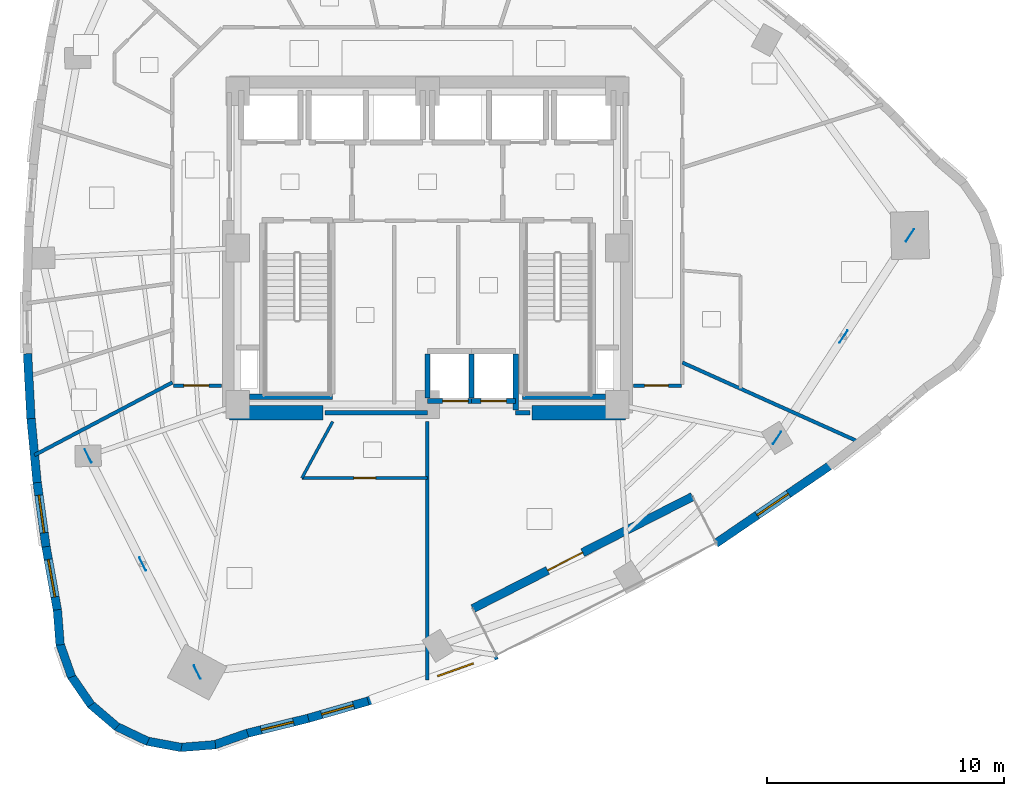
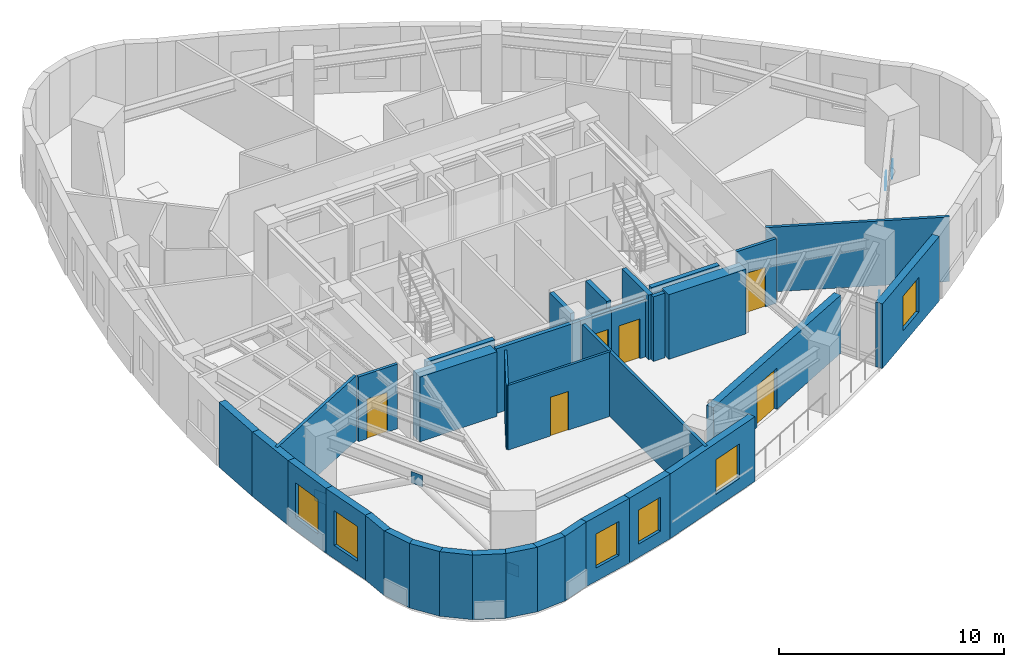
# One storey, part 5 of 12: 35 walls, 6 doors, 6 plates, 6 windows, 12 openings.
"""IFC4 building model written with IfcOpenShell, lengths in metres."""

from ifc_helpers import new_model, si_unit, direction, frame, frame_2d, origin, origin_2d, place, context, subcontext, project, spatial, rectangle, extrude, material, layer, layer_set, type_object, element, fill, save


model = new_model("IFC4")

# Units and contexts
model_context = context("Model", 3, precision=1e-05, world=origin(), true_north=direction((0.0, 1.0)))
body_context = subcontext(model_context, "Body", "Model", "MODEL_VIEW")
ifc_project = project(units=[si_unit("LENGTHUNIT", "METRE"), si_unit("AREAUNIT", "SQUARE_METRE"), si_unit("VOLUMEUNIT", "CUBIC_METRE"), si_unit("PLANEANGLEUNIT", "RADIAN"), si_unit("MASSUNIT", "GRAM", prefix="KILO")], contexts=[model_context])

# Site, building, storey
site_placement = place(None, origin())
site = spatial("IfcSite", under=ifc_project, at=site_placement, CompositionType="ELEMENT")
building_placement = place(site_placement, origin())
building = spatial("IfcBuilding", under=site, at=building_placement, Name="Ndelora Gate Hotel", CompositionType="ELEMENT")
storey_placement = place(building_placement, frame((0.0, 0.0, 112.25)))
storey = spatial("IfcBuildingStorey", under=building, at=storey_placement, Name="L27", CompositionType="ELEMENT", Elevation=112.25)

# Plates
ifc_material_1 = material(Name="Steel S355", Category="steel")
ifc_layer_1 = layer(ifc_material_1, 0.02001953125)
ifc_layer_set_1 = layer_set([ifc_layer_1], Name="Steel S355")
plate_type = type_object("IfcPlateType", Name="PL-NODE-VN1", PredefinedType="USERDEFINED", material=ifc_layer_set_1)
for number, where, z_axis, x_axis, name in (
    (1, (-14.307373046875, -8.767578125, -0.2900390625), (0.0, 0.0, 1.0), (-0.450254288408, 0.892900372813, 0.0), "Node gusset cap plate VN1"),
    (2, (-9.71044921875, -17.884521484375, -0.2900390625), (0.0, 0.0, 1.0), (-0.450254288408, 0.892900372813, 0.0), "Node gusset cap plate VN1"),
    (3, (-12.0087890625, -13.325927734375, 2.639892578125), (0.0, 0.0, 1.0), (-0.450254288408, 0.892900372813, 0.0), "Node gusset cap plate VN1"),
    (4, (14.74658203125, -8.006591796875, -0.2900390625), (0.0, 0.0, 1.0), (0.548147261701, 0.836381838331, 0.0), "Node gusset cap plate VN1"),
    (5, (20.34375, 0.53271484375, -0.2900390625), (0.0, 0.0, 1.0), (0.548147261701, 0.836381838331, 0.0), "Node gusset cap plate VN1"),
    (6, (17.545166015625, -3.737060546875, 2.639892578125), (0.0, 0.0, 1.0), (0.548147261701, 0.836381838331, 0.0), "Node gusset cap plate VN1"),
):
    element("IfcPlate", number, at=place(storey_placement, frame(where, z_axis=z_axis, x_axis=x_axis)), inside=storey, type_object=plate_type, Name=name, ObjectType="GUSSET_PLATE", PredefinedType="USERDEFINED", context=body_context, shape_type="SweptSolid", body=[
        extrude(rectangle(XDim=0.6201171875, YDim=0.02001953125, at=origin_2d()), origin(), (0.0, 0.0, 1.0), 0.6201171875),
    ])

# Wall, opening, door
ifc_material_2 = material(Name="Clay Brick Masonry", Category="masonry")
ifc_layer_2 = layer(ifc_material_2, 0.360107421875)
ifc_layer_set_2 = layer_set([ifc_layer_2], Name="Clay Brick Masonry")
wall_type_1 = type_object("IfcWallType", Name="WL-BRICK-360", PredefinedType="SOLIDWALL", material=ifc_layer_set_2)
wall_1_placement = place(storey_placement, frame((11.177734375, -10.483642578125, 0.0), z_axis=(0.0, 0.0, 1.0), x_axis=(-0.891006889171, -0.453989783419, 0.0)))
wall_1 = element("IfcWall", 7, at=wall_1_placement, inside=storey, type_object=wall_type_1, Name="L27 Sky-Garden Loggia Rear Brick Wall", PredefinedType="SOLIDWALL", context=body_context, shape_type="SweptSolid", body=[
    extrude(rectangle(XDim=10.39990234375, YDim=0.360107421875, at=frame_2d((5.199951171875, 0.0))), origin(), (0.0, 0.0, 1.0), 3.14990234375),
])
opening_1_placement = place(wall_1_placement, frame((5.199951171875, 0.0, 0.0)))
opening_1 = element("IfcOpeningElement", 8, at=opening_1_placement, cuts=wall_1, Name="Opening TD1", PredefinedType="OPENING", context=body_context, shape_type="SweptSolid", body=[
    extrude(rectangle(XDim=1.64990234375, YDim=2.25, at=frame_2d((0.824951171875, 1.125))), frame((0.0, 0.18994140625, 0.0), z_axis=(0.0, -1.0, 0.0), x_axis=(1.0, 0.0, 0.0)), (0.0, 0.0, 1.0), 0.380126953125),
])
ifc_material_3 = material(Name="Architectural Bronze Glazed Door", Category="metal")
door_type_1 = type_object("IfcDoorType", Name="DR-TER-1650", OperationType="DOUBLE_DOOR_SINGLE_SWING", PredefinedType="DOOR", material=ifc_material_3)
door_1_placement = place(opening_1_placement, origin())
door_1 = element("IfcDoor", 9, at=door_1_placement, inside=storey, type_object=door_type_1, Name="L27 Sky-Garden Terrace Double Door TD1", OperationType="DOUBLE_DOOR_SINGLE_SWING", OverallHeight=2.25, OverallWidth=1.64990234375, PredefinedType="DOOR", context=body_context, shape_type="SweptSolid", body=[
    extrude(rectangle(XDim=1.64990234375, YDim=2.25, at=frame_2d((0.824951171875, 1.125))), frame((0.0, 0.02490234375, 0.0), z_axis=(0.0, -1.0, 0.0), x_axis=(1.0, 0.0, 0.0)), (0.0, 0.0, 1.0), 0.050048828125),
])
fill(opening_1, door_1)

# Walls
wall_2_placement = place(storey_placement, frame((-16.714599609375, -7.19677734375, 0.0), z_axis=(0.0, 0.0, 1.0), x_axis=(-0.053474125499, 0.998569235407, 0.0)))
element("IfcWall", 10, at=wall_2_placement, inside=storey, type_object=wall_type_1, Name="L27 Tower Brick Pier-and-Spandrel Wall TWR-17", PredefinedType="SOLIDWALL", context=body_context, shape_type="SweptSolid", body=[
    extrude(rectangle(XDim=2.743896484375, YDim=0.360107421875, at=frame_2d((1.3720703125, 0.0))), origin(), (0.0, 0.0, 1.0), 3.5),
])
wall_3_placement = place(storey_placement, frame((-16.455810546875, -9.892822265625, 0.0), z_axis=(0.0, 0.0, 1.0), x_axis=(-0.095147411159, 0.99546319377, 0.0)))
element("IfcWall", 11, at=wall_3_placement, inside=storey, type_object=wall_type_1, Name="L27 Tower Brick Pier-and-Spandrel Wall TWR-18", PredefinedType="SOLIDWALL", context=body_context, shape_type="SweptSolid", body=[
    extrude(rectangle(XDim=2.75830078125, YDim=0.360107421875, at=frame_2d((1.379150390625, 0.0))), origin(), (0.0, 0.0, 1.0), 3.5),
])

# Wall, opening, window
wall_4_placement = place(storey_placement, frame((-16.0830078125, -12.594970703125, 0.0), z_axis=(0.0, 0.0, 1.0), x_axis=(-0.136238828404, 0.99067602254, 0.0)))
wall_4 = element("IfcWall", 12, at=wall_4_placement, inside=storey, type_object=wall_type_1, Name="L27 Tower Brick Pier-and-Spandrel Wall TWR-19", PredefinedType="SOLIDWALL", context=body_context, shape_type="SweptSolid", body=[
    extrude(rectangle(XDim=2.777587890625, YDim=0.360107421875, at=frame_2d((1.388671875, 0.0))), origin(), (0.0, 0.0, 1.0), 3.5),
])
opening_2_placement = place(wall_4_placement, frame((0.5888671875, 0.0, 0.719970703125)))
opening_2 = element("IfcOpeningElement", 13, at=opening_2_placement, cuts=wall_4, Name="Opening W01", PredefinedType="OPENING", context=body_context, shape_type="SweptSolid", body=[
    extrude(rectangle(XDim=1.60009765625, YDim=1.8798828125, at=frame_2d((0.800048828125, 0.93994140625))), frame((0.0, 0.18994140625, 0.0), z_axis=(0.0, -1.0, 0.0), x_axis=(1.0, 0.0, 0.0)), (0.0, 0.0, 1.0), 0.380126953125),
])
ifc_material_4 = material(Name="Insulated Low-E Double Glazing in Bronze Aluminium Frame", Category="aluminium")
window_type_1 = type_object("IfcWindowType", Name="WN-DEEP-1600", PartitioningType="SINGLE_PANEL", PredefinedType="WINDOW", material=ifc_material_4)
window_1_placement = place(opening_2_placement, origin())
window_1 = element("IfcWindow", 14, at=window_1_placement, inside=storey, type_object=window_type_1, Name="L27 Deep-Set Brick-Pier Window W01", OverallHeight=1.8798828125, OverallWidth=1.60009765625, PartitioningType="SINGLE_PANEL", PredefinedType="WINDOW", context=body_context, shape_type="SweptSolid", body=[
    extrude(rectangle(XDim=1.60009765625, YDim=1.8798828125, at=frame_2d((0.800048828125, 0.93994140625))), frame((0.0, 0.030029296875, 0.0), z_axis=(0.0, -1.0, 0.0), x_axis=(1.0, 0.0, 0.0)), (0.0, 0.0, 1.0), 0.06005859375),
])
fill(opening_2, window_1)

wall_5_placement = place(storey_placement, frame((-15.5966796875, -15.302734375, 0.0), z_axis=(0.0, 0.0, 1.0), x_axis=(-0.176399929502, 0.984318578953, 0.0)))
wall_5 = element("IfcWall", 15, at=wall_5_placement, inside=storey, type_object=wall_type_1, Name="L27 Tower Brick Pier-and-Spandrel Wall TWR-20", PredefinedType="SOLIDWALL", context=body_context, shape_type="SweptSolid", body=[
    extrude(rectangle(XDim=2.80126953125, YDim=0.360107421875, at=frame_2d((1.400634765625, 0.0))), origin(), (0.0, 0.0, 1.0), 3.5),
])
opening_3_placement = place(wall_5_placement, frame((0.6005859375, 0.0, 0.719970703125)))
opening_3 = element("IfcOpeningElement", 16, at=opening_3_placement, cuts=wall_5, Name="Opening W01", PredefinedType="OPENING", context=body_context, shape_type="SweptSolid", body=[
    extrude(rectangle(XDim=1.60009765625, YDim=1.8798828125, at=frame_2d((0.800048828125, 0.93994140625))), frame((0.0, 0.18994140625, 0.0), z_axis=(0.0, -1.0, 0.0), x_axis=(1.0, 0.0, 0.0)), (0.0, 0.0, 1.0), 0.380126953125),
])
window_2_placement = place(opening_3_placement, origin())
window_2 = element("IfcWindow", 17, at=window_2_placement, inside=storey, type_object=window_type_1, Name="L27 Deep-Set Brick-Pier Window W01", OverallHeight=1.8798828125, OverallWidth=1.60009765625, PartitioningType="SINGLE_PANEL", PredefinedType="WINDOW", context=body_context, shape_type="SweptSolid", body=[
    extrude(rectangle(XDim=1.60009765625, YDim=1.8798828125, at=frame_2d((0.800048828125, 0.93994140625))), frame((0.0, 0.030029296875, 0.0), z_axis=(0.0, -1.0, 0.0), x_axis=(1.0, 0.0, 0.0)), (0.0, 0.0, 1.0), 0.06005859375),
])
fill(opening_3, window_2)

# Walls
wall_6_placement = place(storey_placement, frame((-15.486572265625, -16.734375, 0.0), z_axis=(0.0, 0.0, 1.0), x_axis=(-0.078393018091, 0.996922531952, 0.0)))
element("IfcWall", 18, at=wall_6_placement, inside=storey, type_object=wall_type_1, Name="L27 Tower Brick Pier-and-Spandrel Wall TWR-21", PredefinedType="SOLIDWALL", context=body_context, shape_type="SweptSolid", body=[
    extrude(rectangle(XDim=1.485595703125, YDim=0.360107421875, at=frame_2d((0.74267578125, 0.0))), origin(), (0.0, 0.0, 1.0), 3.5),
])
wall_7_placement = place(storey_placement, frame((-15.0009765625, -18.086669921875, 0.0), z_axis=(0.0, 0.0, 1.0), x_axis=(-0.333670746008, 0.942689680254, 0.0)))
element("IfcWall", 19, at=wall_7_placement, inside=storey, type_object=wall_type_1, Name="L27 Tower Brick Pier-and-Spandrel Wall TWR-22", PredefinedType="SOLIDWALL", context=body_context, shape_type="SweptSolid", body=[
    extrude(rectangle(XDim=1.486083984375, YDim=0.360107421875, at=frame_2d((0.7431640625, 0.0))), origin(), (0.0, 0.0, 1.0), 3.5),
])
wall_8_placement = place(storey_placement, frame((-14.181884765625, -19.266845703125, 0.0), z_axis=(0.0, 0.0, 1.0), x_axis=(-0.566438155808, 0.824104250472, 0.0)))
element("IfcWall", 20, at=wall_8_placement, inside=storey, type_object=wall_type_1, Name="L27 Tower Brick Pier-and-Spandrel Wall TWR-23", PredefinedType="SOLIDWALL", context=body_context, shape_type="SweptSolid", body=[
    extrude(rectangle(XDim=1.485595703125, YDim=0.360107421875, at=frame_2d((0.74267578125, 0.0))), origin(), (0.0, 0.0, 1.0), 3.5),
])
for number, where, z_axis, x_axis, name in (
    (21, (-13.085205078125, -20.19482421875, 0.0), (0.0, 0.0, 1.0), (-0.760461582144, 0.649382924078, 0.0), "L27 Tower Brick Pier-and-Spandrel Wall TWR-24"),
    (22, (-11.78564453125, -20.8076171875, 0.0), (0.0, 0.0, 1.0), (-0.902586982789, 0.430507535938, 0.0), "L27 Tower Brick Pier-and-Spandrel Wall TWR-25"),
):
    element("IfcWall", number, at=place(storey_placement, frame(where, z_axis=z_axis, x_axis=x_axis)), inside=storey, type_object=wall_type_1, Name=name, PredefinedType="SOLIDWALL", context=body_context, shape_type="SweptSolid", body=[
        extrude(rectangle(XDim=1.48583984375, YDim=0.360107421875, at=frame_2d((0.742919921875, 0.0))), origin(), (0.0, 0.0, 1.0), 3.5),
    ])
wall_9_placement = place(storey_placement, frame((-10.371826171875, -21.06298828125, 0.0), z_axis=(0.0, 0.0, 1.0), x_axis=(-0.983262389335, 0.182195152844, 0.0)))
element("IfcWall", 23, at=wall_9_placement, inside=storey, type_object=wall_type_1, Name="L27 Tower Brick Pier-and-Spandrel Wall TWR-26", PredefinedType="SOLIDWALL", context=body_context, shape_type="SweptSolid", body=[
    extrude(rectangle(XDim=1.486083984375, YDim=0.360107421875, at=frame_2d((0.7431640625, 0.0))), origin(), (0.0, 0.0, 1.0), 3.5),
])
for number, where, z_axis, x_axis, name in (
    (24, (-8.940185546875, -20.94384765625, 0.0), (0.0, 0.0, 1.0), (-0.996910688745, -0.078543482647, 0.0), "L27 Tower Brick Pier-and-Spandrel Wall TWR-27"),
    (25, (-7.588134765625, -20.458251953125, 0.0), (0.0, 0.0, 1.0), (-0.942671384708, -0.33372243025, 0.0), "L27 Tower Brick Pier-and-Spandrel Wall TWR-28"),
):
    element("IfcWall", number, at=place(storey_placement, frame(where, z_axis=z_axis, x_axis=x_axis)), inside=storey, type_object=wall_type_1, Name=name, PredefinedType="SOLIDWALL", context=body_context, shape_type="SweptSolid", body=[
        extrude(rectangle(XDim=1.48583984375, YDim=0.360107421875, at=frame_2d((0.742919921875, 0.0))), origin(), (0.0, 0.0, 1.0), 3.5),
    ])

# Wall, opening, window
wall_10_placement = place(storey_placement, frame((-5.02197265625, -19.830810546875, 0.0), z_axis=(0.0, 0.0, 1.0), x_axis=(-0.971174008504, -0.23837165353, 0.0)))
wall_10 = element("IfcWall", 26, at=wall_10_placement, inside=storey, type_object=wall_type_1, Name="L27 Tower Brick Pier-and-Spandrel Wall TWR-29", PredefinedType="SOLIDWALL", context=body_context, shape_type="SweptSolid", body=[
    extrude(rectangle(XDim=2.691650390625, YDim=0.360107421875, at=frame_2d((1.345703125, 0.0))), origin(), (0.0, 0.0, 1.0), 3.5),
])
opening_4_placement = place(wall_10_placement, frame((0.645751953125, 0.0, 0.719970703125)))
opening_4 = element("IfcOpeningElement", 27, at=opening_4_placement, cuts=wall_10, Name="Opening W02", PredefinedType="OPENING", context=body_context, shape_type="SweptSolid", body=[
    extrude(rectangle(XDim=1.39990234375, YDim=1.840087890625, at=frame_2d((0.699951171875, 0.919921875))), frame((0.0, 0.18994140625, 0.0), z_axis=(0.0, -1.0, 0.0), x_axis=(1.0, 0.0, 0.0)), (0.0, 0.0, 1.0), 0.380126953125),
])
window_type_2 = type_object("IfcWindowType", Name="WN-DEEP-1400", PartitioningType="SINGLE_PANEL", PredefinedType="WINDOW", material=ifc_material_4)
window_3_placement = place(opening_4_placement, origin())
window_3 = element("IfcWindow", 28, at=window_3_placement, inside=storey, type_object=window_type_2, Name="L27 Deep-Set Brick-Pier Window W02", OverallHeight=1.840087890625, OverallWidth=1.39990234375, PartitioningType="SINGLE_PANEL", PredefinedType="WINDOW", context=body_context, shape_type="SweptSolid", body=[
    extrude(rectangle(XDim=1.39990234375, YDim=1.840087890625, at=frame_2d((0.699951171875, 0.919921875))), frame((0.0, 0.030029296875, 0.0), z_axis=(0.0, -1.0, 0.0), x_axis=(1.0, 0.0, 0.0)), (0.0, 0.0, 1.0), 0.06005859375),
])
fill(opening_4, window_3)

wall_11_placement = place(storey_placement, frame((-2.50439453125, -19.1064453125, 0.0), z_axis=(0.0, 0.0, 1.0), x_axis=(-0.961133025001, -0.276085690055, 0.0)))
wall_11 = element("IfcWall", 29, at=wall_11_placement, inside=storey, type_object=wall_type_1, Name="L27 Tower Brick Pier-and-Spandrel Wall TWR-30", PredefinedType="SOLIDWALL", context=body_context, shape_type="SweptSolid", body=[
    extrude(rectangle(XDim=2.669677734375, YDim=0.360107421875, at=frame_2d((1.3349609375, 0.0))), origin(), (0.0, 0.0, 1.0), 3.5),
])
opening_5_placement = place(wall_11_placement, frame((0.635009765625, 0.0, 0.719970703125)))
opening_5 = element("IfcOpeningElement", 30, at=opening_5_placement, cuts=wall_11, Name="Opening W02", PredefinedType="OPENING", context=body_context, shape_type="SweptSolid", body=[
    extrude(rectangle(XDim=1.39990234375, YDim=1.840087890625, at=frame_2d((0.699951171875, 0.919921875))), frame((0.0, 0.18994140625, 0.0), z_axis=(0.0, -1.0, 0.0), x_axis=(1.0, 0.0, 0.0)), (0.0, 0.0, 1.0), 0.380126953125),
])
window_4_placement = place(opening_5_placement, origin())
window_4 = element("IfcWindow", 31, at=window_4_placement, inside=storey, type_object=window_type_2, Name="L27 Deep-Set Brick-Pier Window W02", OverallHeight=1.840087890625, OverallWidth=1.39990234375, PartitioningType="SINGLE_PANEL", PredefinedType="WINDOW", context=body_context, shape_type="SweptSolid", body=[
    extrude(rectangle(XDim=1.39990234375, YDim=1.840087890625, at=frame_2d((0.699951171875, 0.919921875))), frame((0.0, 0.030029296875, 0.0), z_axis=(0.0, -1.0, 0.0), x_axis=(1.0, 0.0, 0.0)), (0.0, 0.0, 1.0), 0.06005859375),
])
fill(opening_5, window_4)

wall_12_placement = place(storey_placement, frame((2.93359375, -17.156982421875, 0.0), z_axis=(0.0, 0.0, 1.0), x_axis=(-0.941431533916, -0.337204191773, 0.0)))
wall_12 = element("IfcWall", 32, at=wall_12_placement, inside=storey, type_object=wall_type_1, Name="L27 Tower Brick Pier-and-Spandrel Wall TWR-31", PredefinedType="SOLIDWALL", context=body_context, shape_type="SweptSolid", body=[
    extrude(rectangle(XDim=5.826904296875, YDim=0.360107421875, at=frame_2d((2.91357421875, 0.0))), origin(), (0.0, 0.0, 1.0), 3.5),
])
opening_6_placement = place(wall_12_placement, frame((1.06005859375, 0.0, 0.719970703125)))
opening_6 = element("IfcOpeningElement", 33, at=opening_6_placement, cuts=wall_12, Name="Opening W01", PredefinedType="OPENING", context=body_context, shape_type="SweptSolid", body=[
    extrude(rectangle(XDim=1.60009765625, YDim=1.8798828125, at=frame_2d((0.800048828125, 0.93994140625))), frame((0.0, 0.18994140625, 0.0), z_axis=(0.0, -1.0, 0.0), x_axis=(1.0, 0.0, 0.0)), (0.0, 0.0, 1.0), 0.380126953125),
])
window_5_placement = place(opening_6_placement, origin())
window_5 = element("IfcWindow", 34, at=window_5_placement, inside=storey, type_object=window_type_1, Name="L27 Deep-Set Brick-Pier Window W01", OverallHeight=1.8798828125, OverallWidth=1.60009765625, PartitioningType="SINGLE_PANEL", PredefinedType="WINDOW", context=body_context, shape_type="SweptSolid", body=[
    extrude(rectangle(XDim=1.60009765625, YDim=1.8798828125, at=frame_2d((0.800048828125, 0.93994140625))), frame((0.0, 0.030029296875, 0.0), z_axis=(0.0, -1.0, 0.0), x_axis=(1.0, 0.0, 0.0)), (0.0, 0.0, 1.0), 0.06005859375),
])
fill(opening_6, window_5)

wall_13_placement = place(storey_placement, frame((16.969970703125, -9.1748046875, 0.0), z_axis=(0.0, 0.0, 1.0), x_axis=(-0.826151102753, -0.563448627134, 0.0)))
wall_13 = element("IfcWall", 35, at=wall_13_placement, inside=storey, type_object=wall_type_1, Name="L27 Tower Brick Pier-and-Spandrel Wall TWR-36", PredefinedType="SOLIDWALL", context=body_context, shape_type="SweptSolid", body=[
    extrude(rectangle(XDim=5.826904296875, YDim=0.360107421875, at=frame_2d((2.91357421875, 0.0))), origin(), (0.0, 0.0, 1.0), 3.5),
])
opening_7_placement = place(wall_13_placement, frame((2.11328125, 0.0, 0.719970703125)))
opening_7 = element("IfcOpeningElement", 36, at=opening_7_placement, cuts=wall_13, Name="Opening W01", PredefinedType="OPENING", context=body_context, shape_type="SweptSolid", body=[
    extrude(rectangle(XDim=1.60009765625, YDim=1.8798828125, at=frame_2d((0.800048828125, 0.93994140625))), frame((0.0, 0.18994140625, 0.0), z_axis=(0.0, -1.0, 0.0), x_axis=(1.0, 0.0, 0.0)), (0.0, 0.0, 1.0), 0.380126953125),
])
window_6_placement = place(opening_7_placement, origin())
window_6 = element("IfcWindow", 37, at=window_6_placement, inside=storey, type_object=window_type_1, Name="L27 Deep-Set Brick-Pier Window W01", OverallHeight=1.8798828125, OverallWidth=1.60009765625, PartitioningType="SINGLE_PANEL", PredefinedType="WINDOW", context=body_context, shape_type="SweptSolid", body=[
    extrude(rectangle(XDim=1.60009765625, YDim=1.8798828125, at=frame_2d((0.800048828125, 0.93994140625))), frame((0.0, 0.030029296875, 0.0), z_axis=(0.0, -1.0, 0.0), x_axis=(1.0, 0.0, 0.0)), (0.0, 0.0, 1.0), 0.06005859375),
])
fill(opening_7, window_6)

# Walls
ifc_material_5 = material(Name="Concrete C60/75", Category="concrete")
ifc_layer_3 = layer(ifc_material_5, 0.60009765625)
ifc_layer_set_3 = layer_set([ifc_layer_3], Name="Concrete C60/75")
wall_type_2 = type_object("IfcWallType", Name="WL-CORE-600", PredefinedType="SHEAR", material=ifc_layer_set_3)
for number, where, z_axis, x_axis, name in (
    (38, (-8.35009765625, -6.949951171875, 0.0), (0.0, 0.0, 1.0), (1.0, 0.0, 0.0), "L27 Core Shear Wall S-W"),
    (39, (4.39990234375, -6.949951171875, 0.0), (0.0, 0.0, 1.0), (1.0, 0.0, 0.0), "L27 Core Shear Wall S-E"),
):
    element("IfcWall", number, at=place(storey_placement, frame(where, z_axis=z_axis, x_axis=x_axis)), inside=storey, type_object=wall_type_2, Name=name, PredefinedType="SHEAR", context=body_context, shape_type="SweptSolid", body=[
        extrude(rectangle(XDim=3.9501953125, YDim=0.60009765625, at=frame_2d((1.97509765625, 0.0))), origin(), (0.0, 0.0, 1.0), 3.5),
    ])
ifc_material_6 = material(Name="Concrete C40/50", Category="concrete")
ifc_layer_4 = layer(ifc_material_6, 0.199951171875)
ifc_layer_set_4 = layer_set([ifc_layer_4], Name="Concrete C40/50")
wall_type_3 = type_object("IfcWallType", Name="WL-FIRE-200", PredefinedType="PARTITIONING", material=ifc_layer_set_4)
wall_14_placement = place(storey_placement, frame((-4.320068359375, -6.949951171875, 0.0), z_axis=(0.0, 0.0, 1.0), x_axis=(1.0, 0.0, 0.0)))
element("IfcWall", 40, at=wall_14_placement, inside=storey, type_object=wall_type_3, Name="L27 Interior Wall IW-2", PredefinedType="PARTITIONING", context=body_context, shape_type="SweptSolid", body=[
    extrude(rectangle(XDim=4.320068359375, YDim=0.199951171875, at=frame_2d((2.16015625, 0.0))), origin(), (0.0, 0.0, 1.0), 3.5),
])
wall_15_placement = place(storey_placement, frame((3.719970703125, -6.949951171875, 0.0), z_axis=(0.0, 0.0, 1.0), x_axis=(1.0, 0.0, 0.0)))
element("IfcWall", 41, at=wall_15_placement, inside=storey, type_object=wall_type_3, Name="L27 Interior Wall IW-2", PredefinedType="PARTITIONING", context=body_context, shape_type="SweptSolid", body=[
    extrude(rectangle(XDim=0.60009765625, YDim=0.199951171875, at=frame_2d((0.300048828125, 0.0))), origin(), (0.0, 0.0, 1.0), 3.5),
])

# Wall, opening, door
ifc_material_7 = material(Name="Fire-Rated Gypsum Stud Partition", Category="gypsum")
ifc_layer_5 = layer(ifc_material_7, 0.14990234375)
ifc_layer_set_5 = layer_set([ifc_layer_5], Name="Fire-Rated Gypsum Stud Partition")
wall_type_4 = type_object("IfcWallType", Name="WL-PART-150", PredefinedType="PARTITIONING", material=ifc_layer_set_5)
wall_16_placement = place(storey_placement, frame((-8.68994140625, -5.800048828125, 0.0), z_axis=(0.0, 0.0, 1.0), x_axis=(-1.0, 0.0, 0.0)))
wall_16 = element("IfcWall", 42, at=wall_16_placement, inside=storey, type_object=wall_type_4, Name="L27 Interior Wall IW-5", PredefinedType="PARTITIONING", context=body_context, shape_type="SweptSolid", body=[
    extrude(rectangle(XDim=2.02001953125, YDim=0.14990234375, at=frame_2d((1.010009765625, 0.0))), origin(), (0.0, 0.0, 1.0), 3.5),
])
opening_8_placement = place(wall_16_placement, frame((0.52001953125, 0.0, 0.0)))
opening_8 = element("IfcOpeningElement", 43, at=opening_8_placement, cuts=wall_16, Name="Opening D07", PredefinedType="OPENING", context=body_context, shape_type="SweptSolid", body=[
    extrude(rectangle(XDim=1.06005859375, YDim=2.14990234375, at=frame_2d((0.530029296875, 1.074951171875))), frame((0.0, 0.0849609375, 0.0), z_axis=(0.0, -1.0, 0.0), x_axis=(1.0, 0.0, 0.0)), (0.0, 0.0, 1.0), 0.169921875),
])
ifc_material_8 = material(Name="Diplomatic Suite Acoustic Entrance Door", Category="wood")
door_type_2 = type_object("IfcDoorType", Name="DR-SUITE-1060", OperationType="SINGLE_SWING_LEFT", PredefinedType="DOOR", material=ifc_material_8)
door_2_placement = place(opening_8_placement, origin())
door_2 = element("IfcDoor", 44, at=door_2_placement, inside=storey, type_object=door_type_2, Name="L27 Club Executive Suite 3001 Entrance Door", OperationType="SINGLE_SWING_RIGHT", OverallHeight=2.14990234375, OverallWidth=1.06005859375, PredefinedType="DOOR", context=body_context, shape_type="SweptSolid", body=[
    extrude(rectangle(XDim=1.06005859375, YDim=2.14990234375, at=frame_2d((0.530029296875, 1.074951171875))), frame((0.0, 0.02490234375, 0.0), z_axis=(0.0, -1.0, 0.0), x_axis=(1.0, 0.0, 0.0)), (0.0, 0.0, 1.0), 0.050048828125),
])
fill(opening_8, door_2)

wall_17_placement = place(storey_placement, frame((10.7099609375, -5.800048828125, 0.0), z_axis=(0.0, 0.0, 1.0), x_axis=(-1.0, 0.0, 0.0)))
wall_17 = element("IfcWall", 45, at=wall_17_placement, inside=storey, type_object=wall_type_4, Name="L27 Interior Wall IW-5", PredefinedType="PARTITIONING", context=body_context, shape_type="SweptSolid", body=[
    extrude(rectangle(XDim=2.02001953125, YDim=0.14990234375, at=frame_2d((1.010009765625, 0.0))), origin(), (0.0, 0.0, 1.0), 3.5),
])
opening_9_placement = place(wall_17_placement, frame((0.550048828125, 0.0, 0.0)))
opening_9 = element("IfcOpeningElement", 46, at=opening_9_placement, cuts=wall_17, Name="Opening D01", PredefinedType="OPENING", context=body_context, shape_type="SweptSolid", body=[
    extrude(rectangle(XDim=1.0, YDim=2.14990234375, at=frame_2d((0.5, 1.074951171875))), frame((0.0, 0.0849609375, 0.0), z_axis=(0.0, -1.0, 0.0), x_axis=(1.0, 0.0, 0.0)), (0.0, 0.0, 1.0), 0.169921875),
])
ifc_material_9 = material(Name="Acoustic Hardwood Guest Entrance Door", Category="wood")
door_type_3 = type_object("IfcDoorType", Name="DR-COR-1000", OperationType="SINGLE_SWING_LEFT", PredefinedType="DOOR", material=ifc_material_9)
door_3_placement = place(opening_9_placement, origin())
door_3 = element("IfcDoor", 47, at=door_3_placement, inside=storey, type_object=door_type_3, Name="L27 Sky Garden Tea Dining Room Entrance Door", OperationType="SINGLE_SWING_LEFT", OverallHeight=2.14990234375, OverallWidth=1.0, PredefinedType="DOOR", context=body_context, shape_type="SweptSolid", body=[
    extrude(rectangle(XDim=1.0, YDim=2.14990234375, at=frame_2d((0.5, 1.074951171875))), frame((0.0, 0.02490234375, 0.0), z_axis=(0.0, -1.0, 0.0), x_axis=(1.0, 0.0, 0.0)), (0.0, 0.0, 1.0), 0.050048828125),
])
fill(opening_9, door_3)

# Walls
wall_18_placement = place(storey_placement, frame((-10.75, -5.667724609375, 0.0), z_axis=(0.0, 0.0, 1.0), x_axis=(-0.88456520122, -0.466416557158, 0.0)))
element("IfcWall", 48, at=wall_18_placement, inside=storey, type_object=wall_type_4, Name="L27 Interior Wall IW-5", PredefinedType="PARTITIONING", context=body_context, shape_type="SweptSolid", body=[
    extrude(rectangle(XDim=6.575439453125, YDim=0.14990234375, at=frame_2d((3.28759765625, 0.0))), origin(), (0.0, 0.0, 1.0), 3.5),
])
wall_19_placement = place(storey_placement, frame((0.0, -7.320068359375, 0.0), z_axis=(0.0, 0.0, 1.0), x_axis=(0.0, -1.0, 0.0)))
element("IfcWall", 49, at=wall_19_placement, inside=storey, type_object=wall_type_4, Name="L27 Interior Wall IW-5", PredefinedType="PARTITIONING", context=body_context, shape_type="SweptSolid", body=[
    extrude(rectangle(XDim=10.8876953125, YDim=0.14990234375, at=frame_2d((5.44384765625, 0.0))), origin(), (0.0, 0.0, 1.0), 3.5),
])
wall_20_placement = place(storey_placement, frame((10.75, -4.831298828125, 0.0), z_axis=(0.0, 0.0, 1.0), x_axis=(0.912123674565, -0.409915115967, 0.0)))
element("IfcWall", 50, at=wall_20_placement, inside=storey, type_object=wall_type_4, Name="L27 Interior Wall IW-5", PredefinedType="PARTITIONING", context=body_context, shape_type="SweptSolid", body=[
    extrude(rectangle(XDim=8.19775390625, YDim=0.14990234375, at=frame_2d((4.098876953125, 0.0))), origin(), (0.0, 0.0, 1.0), 3.5),
])

# Wall, opening, door
ifc_layer_6 = layer(ifc_material_6, 0.219970703125)
ifc_layer_set_6 = layer_set([ifc_layer_6], Name="Concrete C40/50")
wall_type_5 = type_object("IfcWallType", Name="WL-SHAFT-220", PredefinedType="PARTITIONING", material=ifc_layer_set_6)
wall_21_placement = place(storey_placement, frame((0.0, -6.449951171875, 0.0), z_axis=(0.0, 0.0, 1.0), x_axis=(1.0, 0.0, 0.0)))
wall_21 = element("IfcWall", 51, at=wall_21_placement, inside=storey, type_object=wall_type_5, Name="L27 Interior Wall IW-1", PredefinedType="PARTITIONING", context=body_context, shape_type="SweptSolid", body=[
    extrude(rectangle(XDim=1.860107421875, YDim=0.219970703125, at=frame_2d((0.93017578125, 0.0))), origin(), (0.0, 0.0, 1.0), 3.1201171875),
])
opening_10_placement = place(wall_21_placement, frame((0.639892578125, 0.0, 0.0)))
opening_10 = element("IfcOpeningElement", 52, at=opening_10_placement, cuts=wall_21, Name="Opening LD2", PredefinedType="OPENING", context=body_context, shape_type="SweptSolid", body=[
    extrude(rectangle(XDim=1.080078125, YDim=2.14990234375, at=frame_2d((0.5400390625, 1.074951171875))), frame((0.0, 0.1201171875, 0.0), z_axis=(0.0, -1.0, 0.0), x_axis=(1.0, 0.0, 0.0)), (0.0, 0.0, 1.0), 0.239990234375),
])
ifc_material_10 = material(Name="Brushed Bronze Stainless Lift Landing Door", Category="metal")
door_type_4 = type_object("IfcDoorType", Name="DR-LD2", OperationType="DOUBLE_DOOR_SLIDING", PredefinedType="DOOR", material=ifc_material_10)
door_4_placement = place(opening_10_placement, origin())
door_4 = element("IfcDoor", 53, at=door_4_placement, inside=storey, type_object=door_type_4, Name="L27 Lift Landing Sliding Door P2A", OperationType="DOUBLE_DOOR_SLIDING", OverallHeight=2.14990234375, OverallWidth=1.080078125, PredefinedType="DOOR", context=body_context, shape_type="SweptSolid", body=[
    extrude(rectangle(XDim=1.080078125, YDim=2.14990234375, at=frame_2d((0.5400390625, 1.074951171875))), frame((0.0, 0.02490234375, 0.0), z_axis=(0.0, -1.0, 0.0), x_axis=(1.0, 0.0, 0.0)), (0.0, 0.0, 1.0), 0.050048828125),
])
fill(opening_10, door_4)

# Walls
for number, where, z_axis, x_axis, name in (
    (54, (0.0, -6.330078125, 0.0), (0.0, 0.0, 1.0), (0.0, 1.0, 0.0), "L27 Interior Wall IW-1"),
    (55, (1.860107421875, -6.330078125, 0.0), (0.0, 0.0, 1.0), (0.0, 1.0, 0.0), "L27 Interior Wall IW-1"),
):
    element("IfcWall", number, at=place(storey_placement, frame(where, z_axis=z_axis, x_axis=x_axis)), inside=storey, type_object=wall_type_5, Name=name, PredefinedType="PARTITIONING", context=body_context, shape_type="SweptSolid", body=[
        extrude(rectangle(XDim=1.860107421875, YDim=0.219970703125, at=frame_2d((0.93017578125, 0.0))), origin(), (0.0, 0.0, 1.0), 3.5),
    ])

# Wall, opening, door
wall_22_placement = place(storey_placement, frame((1.860107421875, -6.449951171875, 0.0), z_axis=(0.0, 0.0, 1.0), x_axis=(1.0, 0.0, 0.0)))
wall_22 = element("IfcWall", 56, at=wall_22_placement, inside=storey, type_object=wall_type_5, Name="L27 Interior Wall IW-1", PredefinedType="PARTITIONING", context=body_context, shape_type="SweptSolid", body=[
    extrude(rectangle(XDim=1.85986328125, YDim=0.219970703125, at=frame_2d((0.929931640625, 0.0))), origin(), (0.0, 0.0, 1.0), 3.1201171875),
])
opening_11_placement = place(wall_22_placement, frame((0.389892578125, 0.0, 0.0)))
opening_11 = element("IfcOpeningElement", 57, at=opening_11_placement, cuts=wall_22, Name="Opening LD2", PredefinedType="OPENING", context=body_context, shape_type="SweptSolid", body=[
    extrude(rectangle(XDim=1.080078125, YDim=2.14990234375, at=frame_2d((0.5400390625, 1.074951171875))), frame((0.0, 0.1201171875, 0.0), z_axis=(0.0, -1.0, 0.0), x_axis=(1.0, 0.0, 0.0)), (0.0, 0.0, 1.0), 0.239990234375),
])
door_5_placement = place(opening_11_placement, origin())
door_5 = element("IfcDoor", 58, at=door_5_placement, inside=storey, type_object=door_type_4, Name="L27 Lift Landing Sliding Door P2B", OperationType="DOUBLE_DOOR_SLIDING", OverallHeight=2.14990234375, OverallWidth=1.080078125, PredefinedType="DOOR", context=body_context, shape_type="SweptSolid", body=[
    extrude(rectangle(XDim=1.080078125, YDim=2.14990234375, at=frame_2d((0.5400390625, 1.074951171875))), frame((0.0, 0.02490234375, 0.0), z_axis=(0.0, -1.0, 0.0), x_axis=(1.0, 0.0, 0.0)), (0.0, 0.0, 1.0), 0.050048828125),
])
fill(opening_11, door_5)

# Walls
wall_23_placement = place(storey_placement, frame((3.719970703125, -6.830078125, 0.0), z_axis=(0.0, 0.0, 1.0), x_axis=(0.0, 1.0, 0.0)))
element("IfcWall", 59, at=wall_23_placement, inside=storey, type_object=wall_type_5, Name="L27 Interior Wall IW-1", PredefinedType="PARTITIONING", context=body_context, shape_type="SweptSolid", body=[
    extrude(rectangle(XDim=2.360107421875, YDim=0.219970703125, at=frame_2d((1.18017578125, 0.0))), origin(), (0.0, 0.0, 1.0), 3.5),
])
ifc_material_11 = material(Name="Concrete C50/60", Category="concrete")
ifc_layer_7 = layer(ifc_material_11, 0.239990234375)
ifc_layer_set_7 = layer_set([ifc_layer_7], Name="Concrete C50/60")
wall_type_6 = type_object("IfcWallType", Name="WL-STAIR-240", PredefinedType="SHEAR", material=ifc_layer_set_7)
for number, where, z_axis, x_axis, name in (
    (60, (-7.5, -6.27001953125, 0.0), (0.0, 0.0, 1.0), (1.0, 0.0, 0.0), "L27 Stair Core Shear Wall SW-ST"),
    (61, (4.010009765625, -6.27001953125, 0.0), (0.0, 0.0, 1.0), (1.0, 0.0, 0.0), "L27 Stair Core Shear Wall SW-ST"),
):
    element("IfcWall", number, at=place(storey_placement, frame(where, z_axis=z_axis, x_axis=x_axis)), inside=storey, type_object=wall_type_6, Name=name, PredefinedType="SHEAR", context=body_context, shape_type="SweptSolid", body=[
        extrude(rectangle(XDim=3.489990234375, YDim=0.239990234375, at=frame_2d((1.7451171875, 0.0))), origin(), (0.0, 0.0, 1.0), 3.5),
    ])

# Wall, opening, door
ifc_material_12 = material(Name="Moisture-Resistant Bathroom Tile Partition", Category="gypsum")
ifc_layer_8 = layer(ifc_material_12, 0.1201171875)
ifc_layer_set_8 = layer_set([ifc_layer_8], Name="Moisture-Resistant Bathroom Tile Partition")
wall_type_7 = type_object("IfcWallType", Name="WL-WET-120", PredefinedType="PARTITIONING", material=ifc_layer_set_8)
wall_24_placement = place(storey_placement, frame((0.0, -9.699951171875, 0.0), z_axis=(0.0, 0.0, 1.0), x_axis=(-1.0, 0.0, 0.0)))
wall_24 = element("IfcWall", 62, at=wall_24_placement, inside=storey, type_object=wall_type_7, Name="L27 Interior Wall IW-7", PredefinedType="PARTITIONING", context=body_context, shape_type="SweptSolid", body=[
    extrude(rectangle(XDim=5.291259765625, YDim=0.1201171875, at=frame_2d((2.6455078125, 0.0))), origin(), (0.0, 0.0, 1.0), 3.5),
])
opening_12_placement = place(wall_24_placement, frame((2.185546875, 0.0, 0.0)))
opening_12 = element("IfcOpeningElement", 63, at=opening_12_placement, cuts=wall_24, Name="Opening D03", PredefinedType="OPENING", context=body_context, shape_type="SweptSolid", body=[
    extrude(rectangle(XDim=0.919921875, YDim=2.10009765625, at=frame_2d((0.4599609375, 1.050048828125))), frame((0.0, 0.070068359375, 0.0), z_axis=(0.0, -1.0, 0.0), x_axis=(1.0, 0.0, 0.0)), (0.0, 0.0, 1.0), 0.14013671875),
])
ifc_material_13 = material(Name="Moisture-Resistant Hardwood En-Suite Door", Category="wood")
door_type_5 = type_object("IfcDoorType", Name="DR-BATH-920", OperationType="SINGLE_SWING_LEFT", PredefinedType="DOOR", material=ifc_material_13)
door_6_placement = place(opening_12_placement, origin())
door_6 = element("IfcDoor", 64, at=door_6_placement, inside=storey, type_object=door_type_5, Name="L27 En-suite Bathroom 3001 Door", OperationType="SINGLE_SWING_RIGHT", OverallHeight=2.10009765625, OverallWidth=0.919921875, PredefinedType="DOOR", context=body_context, shape_type="SweptSolid", body=[
    extrude(rectangle(XDim=0.919921875, YDim=2.10009765625, at=frame_2d((0.4599609375, 1.050048828125))), frame((0.0, 0.02490234375, 0.0), z_axis=(0.0, -1.0, 0.0), x_axis=(1.0, 0.0, 0.0)), (0.0, 0.0, 1.0), 0.050048828125),
])
fill(opening_12, door_6)

# Wall
wall_25_placement = place(storey_placement, frame((-5.291259765625, -9.699951171875, 0.0), z_axis=(0.0, 0.0, 1.0), x_axis=(0.478915225664, 0.877861154527, 0.0)))
element("IfcWall", 65, at=wall_25_placement, inside=storey, type_object=wall_type_7, Name="L27 Interior Wall IW-7", PredefinedType="PARTITIONING", context=body_context, shape_type="SweptSolid", body=[
    extrude(rectangle(XDim=2.7109375, YDim=0.1201171875, at=frame_2d((1.35546875, 0.0))), origin(), (0.0, 0.0, 1.0), 3.5),
])

save(model, "model.ifc")
